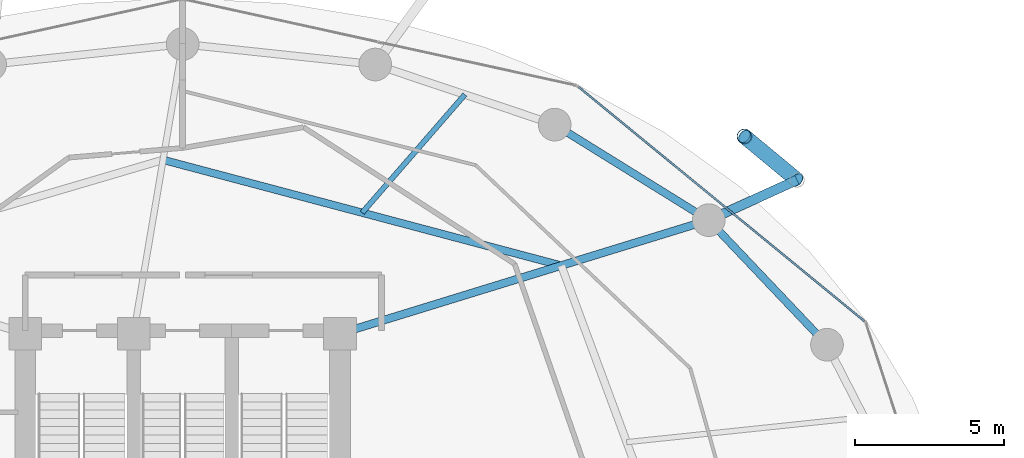
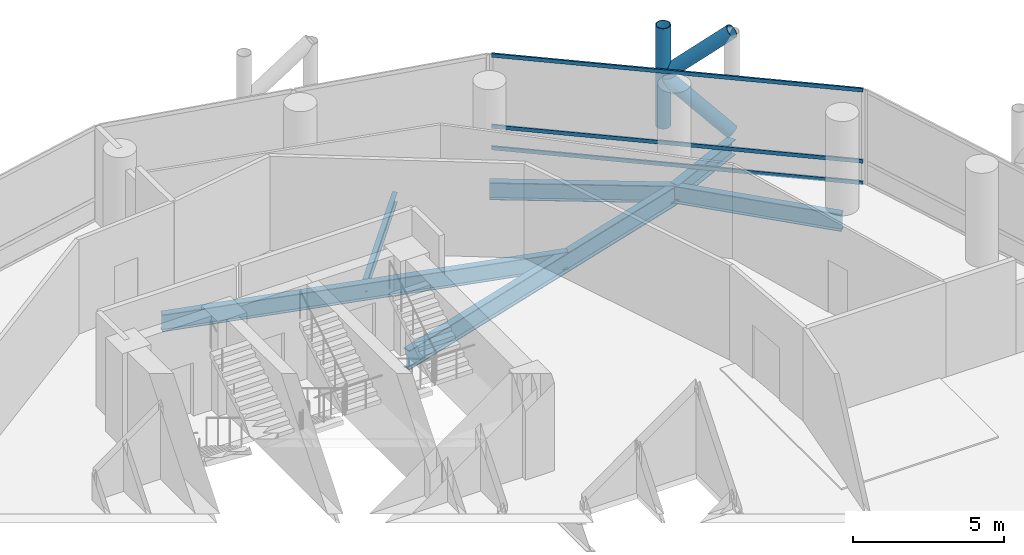
# One storey, part 17 of 24: 6 beams, 6 members, 1 element without a shape of its own.
"""IFC4 building model written with IfcOpenShell, lengths in metres."""

from ifc_helpers import new_model, si_unit, direction, frame, origin, origin_2d, place, context, subcontext, project, spatial, hollow_rectangle, hollow_circle, i_section, extrude, material, layer, layer_set, material_profile, profile_set, type_object, element, aggregate, save


model = new_model("IFC4")

# Units and contexts
model_context = context("Model", 3, precision=1e-05, world=origin(), true_north=direction((0.0, 1.0)))
body_context = subcontext(model_context, "Body", "Model", "MODEL_VIEW")
ifc_project = project(units=[si_unit("LENGTHUNIT", "METRE"), si_unit("AREAUNIT", "SQUARE_METRE"), si_unit("VOLUMEUNIT", "CUBIC_METRE"), si_unit("PLANEANGLEUNIT", "RADIAN"), si_unit("MASSUNIT", "GRAM", prefix="KILO")], contexts=[model_context])

# Site, building, storey
site_placement = place(None, origin())
site = spatial("IfcSite", under=ifc_project, at=site_placement, CompositionType="ELEMENT")
building_placement = place(site_placement, origin())
building = spatial("IfcBuilding", under=site, at=building_placement, Name="Nuhasar Tower", CompositionType="ELEMENT")
storey_placement = place(building_placement, frame((0.0, 0.0, 69.60009765625)))
storey = spatial("IfcBuildingStorey", under=building, at=storey_placement, Name="L16", CompositionType="ELEMENT", Elevation=69.60009765625)

# Beams
ifc_material_1 = material(Name="Steel S355", Category="steel")
ifc_material_profile_1 = material_profile(ifc_material_1, i_section(OverallWidth=0.25390625, OverallDepth=0.68408203125, WebThickness=0.012451171875, FlangeThickness=0.018798828125, at=origin_2d()), Name="W27X94")
ifc_profile_set_1 = profile_set([ifc_material_profile_1], Name="Steel S355")
beam_type_1 = type_object("IfcBeamType", Name="BM-INRING-W27X94", PredefinedType="BEAM", material=ifc_profile_set_1)
beam_1_placement = place(storey_placement, frame((51.748046875, 39.591064453125, -0.592041015625), z_axis=(-0.96653253005, 0.256544086574, 0.0), x_axis=(-0.256544086574, -0.96653253005, 0.0)))
element("IfcBeam", 1, at=beam_1_placement, inside=storey, type_object=beam_type_1, Name="L16 Inner Header Beam 05", PredefinedType="BEAM", context=body_context, shape_type="SweptSolid", body=[
    extrude(i_section(OverallWidth=0.25390625, OverallDepth=0.68408203125, WebThickness=0.012451171875, FlangeThickness=0.018798828125, at=origin_2d()), origin(), (0.0, 0.0, 1.0), 13.872314453125),
])
ifc_material_profile_2 = material_profile(ifc_material_1, i_section(OverallWidth=0.177978515625, OverallDepth=0.406005859375, WebThickness=0.0078125, FlangeThickness=0.0126953125, at=origin_2d()), Name="W16X40")
ifc_profile_set_2 = profile_set([ifc_material_profile_2], Name="Steel S355")
beam_type_2 = type_object("IfcBeamType", Name="BM-JST-W16X40", PredefinedType="JOIST", material=ifc_profile_set_2)
beam_2_placement = place(storey_placement, frame((45.0439453125, 41.3701171875, -0.453125), z_axis=(0.656174129694, 0.754609509296, 0.0), x_axis=(-0.754609509296, 0.656174129694, 0.0)))
element("IfcBeam", 2, at=beam_2_placement, inside=storey, type_object=beam_type_2, Name="L16 Secondary Floor Joist 05", PredefinedType="JOIST", context=body_context, shape_type="SweptSolid", body=[
    extrude(i_section(OverallWidth=0.177978515625, OverallDepth=0.406005859375, WebThickness=0.0078125, FlangeThickness=0.0126953125, at=origin_2d()), origin(), (0.0, 0.0, 1.0), 5.27294921875),
])
ifc_material_profile_3 = material_profile(ifc_material_1, i_section(OverallWidth=0.26611328125, OverallDepth=0.779052734375, WebThickness=0.0166015625, FlangeThickness=0.030029296875, at=origin_2d()), Name="W30X148")
ifc_profile_set_3 = profile_set([ifc_material_profile_3], Name="Steel S355")
beam_type_3 = type_object("IfcBeamType", Name="BM-RAD-W30X148", PredefinedType="BEAM", material=ifc_profile_set_3)
beam_3_placement = place(storey_placement, frame((44.300048828125, 37.300048828125, -0.64013671875), z_axis=(0.955789576103, 0.294051502653, 0.0), x_axis=(-0.294051502653, 0.955789576103, 0.0)))
element("IfcBeam", 3, at=beam_3_placement, inside=storey, type_object=beam_type_3, Name="L16 Radial Floor Girder 05", PredefinedType="BEAM", context=body_context, shape_type="SweptSolid", body=[
    extrude(i_section(OverallWidth=0.26611328125, OverallDepth=0.779052734375, WebThickness=0.0166015625, FlangeThickness=0.030029296875, at=origin_2d()), origin(), (0.0, 0.0, 1.0), 12.987060546875),
])
ifc_material_profile_4 = material_profile(ifc_material_1, i_section(OverallWidth=0.256103515625, OverallDepth=0.693115234375, WebThickness=0.014404296875, FlangeThickness=0.023681640625, at=origin_2d()), Name="W27X114")
ifc_profile_set_4 = profile_set([ifc_material_profile_4], Name="Steel S355")
beam_type_4 = type_object("IfcBeamType", Name="BM-RING-W27X114", PredefinedType="SPANDREL", material=ifc_profile_set_4)
beam_4_placement = place(storey_placement, frame((60.694091796875, 36.925048828125, -0.59716796875), z_axis=(-0.688480893507, 0.725254478976, 0.0), x_axis=(-0.725254478976, -0.688480893507, 0.0)))
element("IfcBeam", 4, at=beam_4_placement, inside=storey, type_object=beam_type_4, Name="L16 Perimeter Ring Spandrel 03", PredefinedType="SPANDREL", context=body_context, shape_type="SweptSolid", body=[
    extrude(i_section(OverallWidth=0.256103515625, OverallDepth=0.693115234375, WebThickness=0.014404296875, FlangeThickness=0.023681640625, at=origin_2d()), origin(), (0.0, 0.0, 1.0), 5.782470703125),
])
beam_5_placement = place(storey_placement, frame((56.712890625, 41.118896484375, -0.59716796875), z_axis=(-0.849795216549, 0.527112976439, 0.0), x_axis=(-0.527112976439, -0.849795216549, 0.0)))
element("IfcBeam", 5, at=beam_5_placement, inside=storey, type_object=beam_type_4, Name="L16 Perimeter Ring Spandrel 04", PredefinedType="SPANDREL", context=body_context, shape_type="SweptSolid", body=[
    extrude(i_section(OverallWidth=0.256103515625, OverallDepth=0.693115234375, WebThickness=0.014404296875, FlangeThickness=0.023681640625, at=origin_2d()), origin(), (0.0, 0.0, 1.0), 6.10498046875),
])
ifc_material_profile_5 = material_profile(ifc_material_1, i_section(OverallWidth=0.323974609375, OverallDepth=0.611083984375, WebThickness=0.0126953125, FlangeThickness=0.01904296875, at=origin_2d()), Name="W24X104")
ifc_profile_set_5 = profile_set([ifc_material_profile_5], Name="Steel S355")
beam_type_5 = type_object("IfcBeamType", Name="BM-TIE-W24X104", PredefinedType="BEAM", material=ifc_profile_set_5)
beam_6_placement = place(storey_placement, frame((56.712890625, 41.118896484375, -0.55615234375), z_axis=(0.910243528587, 0.414073325227, 0.0), x_axis=(-0.414073325227, 0.910243528587, 0.0)))
element("IfcBeam", 6, at=beam_6_placement, inside=storey, type_object=beam_type_5, Name="L16 Exoskeleton Node Tie Beam 02", PredefinedType="BEAM", context=body_context, shape_type="SweptSolid", body=[
    extrude(i_section(OverallWidth=0.323974609375, OverallDepth=0.611083984375, WebThickness=0.0126953125, FlangeThickness=0.01904296875, at=origin_2d()), origin(), (0.0, 0.0, 1.0), 3.26513671875),
])

# Curtain wall, members
ifc_material_2 = material(Name="Aluminium 6063-T6", Category="aluminium")
ifc_layer = layer(ifc_material_2, 0.199951171875)
ifc_layer_set = layer_set([ifc_layer], Name="Aluminium 6063-T6")
curtain_wall_type = type_object("IfcCurtainWallType", Name="CW-Z1-OFF", PredefinedType="NOTDEFINED", material=ifc_layer_set)
curtain_wall_placement = place(storey_placement, origin())
curtain_wall = element("IfcCurtainWall", 7, at=curtain_wall_placement, inside=storey, type_object=curtain_wall_type, Name="L16 Unitised Curtain Wall 02", PredefinedType="NOTDEFINED")
ifc_material_profile_6 = material_profile(ifc_material_2, hollow_rectangle(XDim=0.06494140625, YDim=0.14990234375, WallThickness=0.00439453125, at=origin_2d()), Name="CWT-2")
ifc_profile_set_6 = profile_set([ifc_material_profile_6], Name="Aluminium 6063-T6")
member_type_1 = type_object("IfcMemberType", Name="CW-TRN-S2", PredefinedType="USERDEFINED", material=ifc_profile_set_6)
member_1_placement = place(storey_placement, frame((61.95166015625, 37.72119140625, 0.032470703125), z_axis=(-0.773540851599, 0.633746440548, 0.0), x_axis=(-0.633746440548, -0.773540851599, 0.0)))
member_1 = element("IfcMember", 8, at=member_1_placement, type_object=member_type_1, Name="CW-Z1 transom 1.1", ObjectType="TRANSOM", PredefinedType="USERDEFINED", context=body_context, shape_type="SweptSolid", body=[
    extrude(hollow_rectangle(XDim=0.06494140625, YDim=0.14990234375, WallThickness=0.00439453125, at=origin_2d()), origin(), (0.0, 0.0, 1.0), 12.43798828125),
])
member_2_placement = place(storey_placement, frame((61.95166015625, 37.72119140625, 0.89990234375), z_axis=(-0.773540851599, 0.633746440548, 0.0), x_axis=(-0.633746440548, -0.773540851599, 0.0)))
member_2 = element("IfcMember", 9, at=member_2_placement, type_object=member_type_1, Name="CW-Z1 transom 1.2", ObjectType="TRANSOM", PredefinedType="USERDEFINED", context=body_context, shape_type="SweptSolid", body=[
    extrude(hollow_rectangle(XDim=0.06494140625, YDim=0.14990234375, WallThickness=0.00439453125, at=origin_2d()), origin(), (0.0, 0.0, 1.0), 12.43798828125),
])
member_3_placement = place(storey_placement, frame((61.95166015625, 37.72119140625, 3.767333984375), z_axis=(-0.773540851599, 0.633746440548, 0.0), x_axis=(-0.633746440548, -0.773540851599, 0.0)))
member_3 = element("IfcMember", 10, at=member_3_placement, type_object=member_type_1, Name="CW-Z1 transom 1.3", ObjectType="TRANSOM", PredefinedType="USERDEFINED", context=body_context, shape_type="SweptSolid", body=[
    extrude(hollow_rectangle(XDim=0.06494140625, YDim=0.14990234375, WallThickness=0.00439453125, at=origin_2d()), origin(), (0.0, 0.0, 1.0), 12.43798828125),
])
aggregate(curtain_wall, [member_1, member_2, member_3])

# Members
ifc_material_3 = material(Name="Steel S460", Category="steel")
ifc_material_profile_7 = material_profile(ifc_material_3, hollow_circle(Radius=0.25390625, WallThickness=0.025390625, at=origin_2d()), Name="HSS508X25.4")
ifc_profile_set_7 = profile_set([ifc_material_profile_7], Name="Steel S460")
member_type_2 = type_object("IfcMemberType", Name="EXO-BRONZE-508", PredefinedType="BRACE", material=ifc_profile_set_7)
member_4_placement = place(storey_placement, frame((57.9130859375, 43.93896484375, 0.0), z_axis=(0.0, 0.0, 1.0), x_axis=(1.0, 0.0, 0.0)))
element("IfcMember", 11, at=member_4_placement, inside=storey, type_object=member_type_2, Name="L16 Exoskeleton Chord Column EC-02B", PredefinedType="BRACE", context=body_context, shape_type="SweptSolid", body=[
    extrude(hollow_circle(Radius=0.25390625, WallThickness=0.025390625, at=origin_2d()), origin(), (0.0, 0.0, 1.0), 4.0498046875),
])
for number, where, z_axis, x_axis, name in (
    (12, (59.68505859375, 42.470947265625, 0.0), (-0.578101613167, 0.478937034992, 0.660619286251), (-0.637969333506, -0.770061769929, 0.0), "L16 Bronze Diagrid Brace W1-02"),
    (13, (57.9130859375, 43.93896484375, 2.02490234375), (0.578101613167, -0.478937034992, 0.660619286251), (0.637969333506, 0.770061769929, 0.0), "L16 Bronze Diagrid Brace W2-02"),
):
    element("IfcMember", number, at=place(storey_placement, frame(where, z_axis=z_axis, x_axis=x_axis)), inside=storey, type_object=member_type_2, Name=name, PredefinedType="BRACE", context=body_context, shape_type="SweptSolid", body=[
        extrude(hollow_circle(Radius=0.25390625, WallThickness=0.025390625, at=origin_2d()), origin(), (0.0, 0.0, 1.0), 3.065185546875),
    ])

save(model, "model.ifc")
